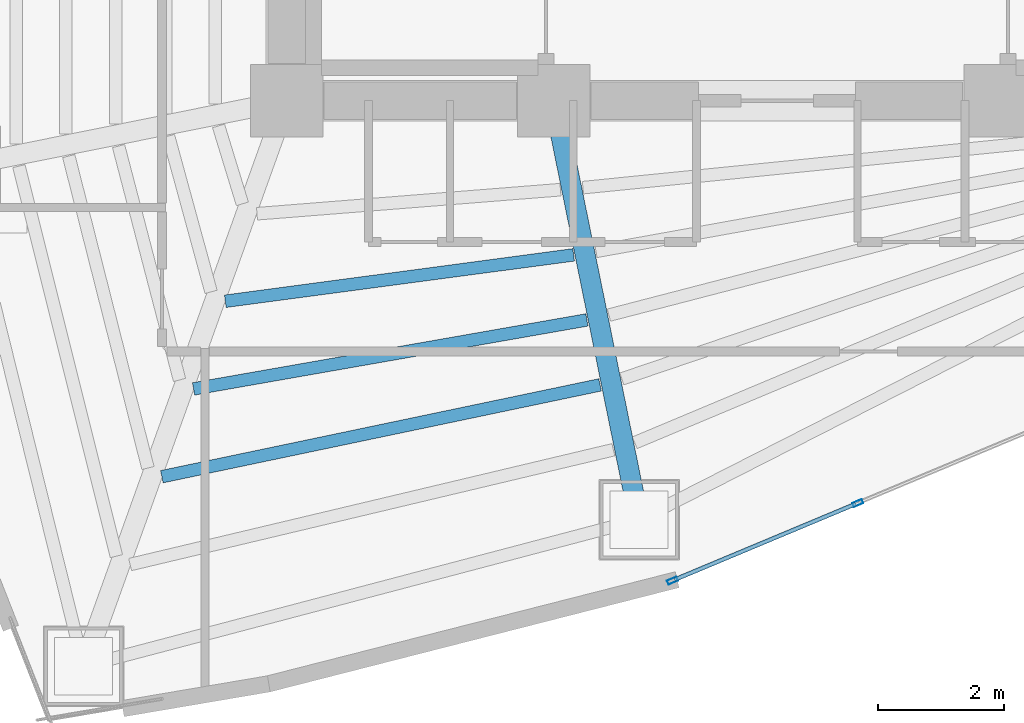
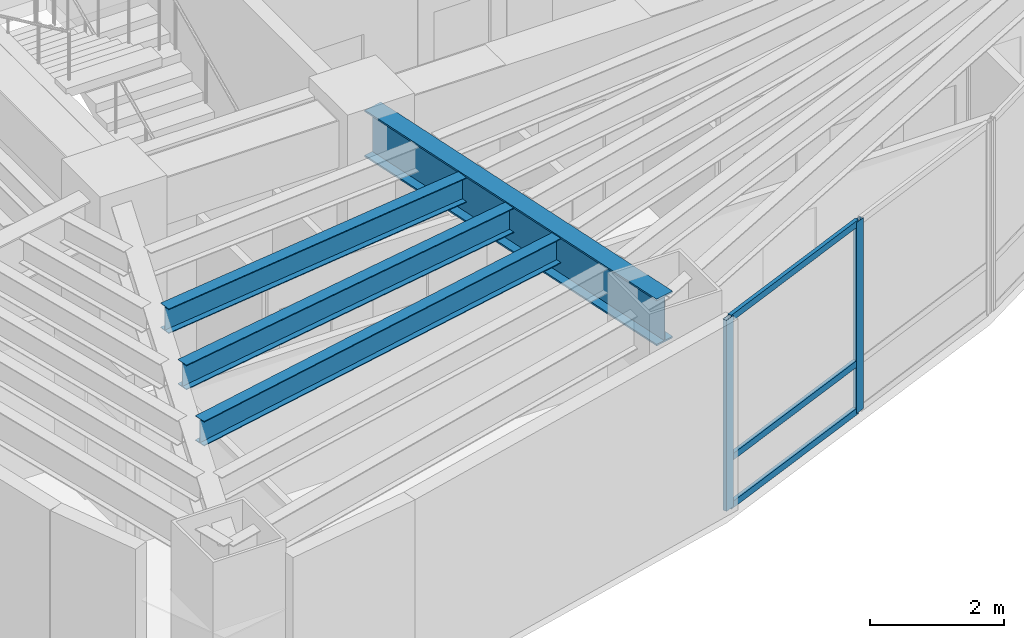
# One storey, part 2 of 16: 5 members, 4 beams, 1 element without a shape of its own.
"""IFC4 building model written with IfcOpenShell, lengths in metres."""

from ifc_helpers import new_model, si_unit, direction, frame, origin, origin_2d, place, context, subcontext, project, spatial, hollow_rectangle, i_section, extrude, material, layer, layer_set, material_profile, profile_set, type_object, element, aggregate, save


model = new_model("IFC4")

# Units and contexts
model_context = context("Model", 3, precision=1e-05, world=origin(), true_north=direction((0.0, 1.0)))
body_context = subcontext(model_context, "Body", "Model", "MODEL_VIEW")
ifc_project = project(units=[si_unit("LENGTHUNIT", "METRE"), si_unit("AREAUNIT", "SQUARE_METRE"), si_unit("VOLUMEUNIT", "CUBIC_METRE"), si_unit("PLANEANGLEUNIT", "RADIAN"), si_unit("MASSUNIT", "GRAM", prefix="KILO")], contexts=[model_context])

# Site, building, storey
site_placement = place(None, origin())
site = spatial("IfcSite", under=ifc_project, at=site_placement, CompositionType="ELEMENT")
building_placement = place(site_placement, origin())
building = spatial("IfcBuilding", under=site, at=building_placement, Name="Menara Vayukalpa", CompositionType="ELEMENT")
storey_placement = place(building_placement, frame((0.0, 0.0, 72.239990234375)))
storey = spatial("IfcBuildingStorey", under=building, at=storey_placement, Name="L17", CompositionType="ELEMENT", Elevation=72.239990234375)

# Beams
ifc_material_1 = material(Name="Steel S355", Category="steel")
ifc_material_profile_1 = material_profile(ifc_material_1, i_section(OverallWidth=0.320068359375, OverallDepth=0.85009765625, WebThickness=0.01611328125, FlangeThickness=0.030029296875, at=origin_2d()), Name="WF 850x320x16x30")
ifc_profile_set_1 = profile_set([ifc_material_profile_1], Name="Steel S355")
beam_type_1 = type_object("IfcBeamType", Name="BM-PG2", PredefinedType="BEAM", material=ifc_profile_set_1)
beam_1_placement = place(storey_placement, frame((22.099853515625, 16.955078125, 3.044921875), z_axis=(0.199617728418, -0.9798738503, 0.0), x_axis=(0.9798738503, 0.199617728418, 0.0)))
element("IfcBeam", 1, at=beam_1_placement, inside=storey, type_object=beam_type_1, Name="L17 Primary Radial Girder RG08", PredefinedType="BEAM", context=body_context, shape_type="SweptSolid", body=[
    extrude(i_section(OverallWidth=0.320068359375, OverallDepth=0.85009765625, WebThickness=0.01611328125, FlangeThickness=0.030029296875, at=origin_2d()), origin(), (0.0, 0.0, 1.0), 6.55419921875),
])
ifc_material_2 = material(Name="Steel S355", Category="steel")
ifc_material_profile_2 = material_profile(ifc_material_2, i_section(OverallWidth=0.199951171875, OverallDepth=0.449951171875, WebThickness=0.009033203125, FlangeThickness=0.013916015625, at=origin_2d()), Name="WF 450x200x9x14")
ifc_profile_set_2 = profile_set([ifc_material_profile_2], Name="Steel S355")
beam_type_2 = type_object("IfcBeamType", Name="BM-SJ1", PredefinedType="JOIST", material=ifc_profile_set_2)
beam_2_placement = place(storey_placement, frame((16.82421875, 14.009521484375, 3.2451171875), z_axis=(0.991248863782, 0.132006401551, 0.0), x_axis=(-0.132006401551, 0.991248863782, 0.0)))
element("IfcBeam", 2, at=beam_2_placement, inside=storey, type_object=beam_type_2, Name="L17 Secondary Floor Joist SJ07-2", PredefinedType="JOIST", context=body_context, shape_type="SweptSolid", body=[
    extrude(i_section(OverallWidth=0.199951171875, OverallDepth=0.449951171875, WebThickness=0.009033203125, FlangeThickness=0.013916015625, at=origin_2d()), origin(), (0.0, 0.0, 1.0), 5.5908203125),
])
beam_3_placement = place(storey_placement, frame((16.319580078125, 12.61474609375, 3.2451171875), z_axis=(0.984953696719, 0.172818446123, 0.0), x_axis=(-0.172818446123, 0.984953696719, 0.0)))
element("IfcBeam", 3, at=beam_3_placement, inside=storey, type_object=beam_type_2, Name="L17 Secondary Floor Joist SJ07-3", PredefinedType="JOIST", context=body_context, shape_type="SweptSolid", body=[
    extrude(i_section(OverallWidth=0.199951171875, OverallDepth=0.449951171875, WebThickness=0.009033203125, FlangeThickness=0.013916015625, at=origin_2d()), origin(), (0.0, 0.0, 1.0), 6.35302734375),
])
beam_4_placement = place(storey_placement, frame((15.815185546875, 11.218505859375, 3.2451171875), z_axis=(0.978749690575, 0.205058633565, 0.0), x_axis=(-0.205058633565, 0.978749690575, 0.0)))
element("IfcBeam", 4, at=beam_4_placement, inside=storey, type_object=beam_type_2, Name="L17 Secondary Floor Joist SJ07-4", PredefinedType="JOIST", context=body_context, shape_type="SweptSolid", body=[
    extrude(i_section(OverallWidth=0.199951171875, OverallDepth=0.449951171875, WebThickness=0.009033203125, FlangeThickness=0.013916015625, at=origin_2d()), origin(), (0.0, 0.0, 1.0), 7.123291015625),
])

# Curtain wall, members
ifc_material_3 = material(Name="Anodised Terracotta Aluminium Alloy 6063-T6", Category="masonry")
ifc_layer = layer(ifc_material_3, 0.1650390625)
ifc_layer_set = layer_set([ifc_layer], Name="Anodised Terracotta Aluminium Alloy 6063-T6")
curtain_wall_type = type_object("IfcCurtainWallType", Name="CW-CW2", PredefinedType="USERDEFINED", material=ifc_layer_set)
curtain_wall_placement = place(storey_placement, origin())
curtain_wall = element("IfcCurtainWall", 5, at=curtain_wall_placement, inside=storey, type_object=curtain_wall_type, Name="L17 Low Rise Terracotta Ribbon Curtain Wall CW2 16", ObjectType="UNITISED", PredefinedType="USERDEFINED")
ifc_material_4 = material(Name="Anodised Terracotta Aluminium Alloy 6063-T6", Category="masonry")
ifc_material_profile_3 = material_profile(ifc_material_4, hollow_rectangle(XDim=0.070068359375, YDim=0.1650390625, WallThickness=0.00390625, at=origin_2d()), Name="ALU 70x165x4")
ifc_profile_set_3 = profile_set([ifc_material_profile_3], Name="Anodised Terracotta Aluminium Alloy 6063-T6")
member_type_1 = type_object("IfcMemberType", Name="CWM-CW2", PredefinedType="MULLION", material=ifc_profile_set_3)
member_1_placement = place(storey_placement, frame((23.939697265625, 9.56591796875, 0.0), z_axis=(0.0, 0.0, 1.0), x_axis=(-0.38589358437, 0.922543300632, 0.0)))
member_1 = element("IfcMember", 6, at=member_1_placement, type_object=member_type_1, Name="CW2 mullion 1", PredefinedType="MULLION", context=body_context, shape_type="SweptSolid", body=[
    extrude(hollow_rectangle(XDim=0.070068359375, YDim=0.1650390625, WallThickness=0.00390625, at=origin_2d()), origin(), (0.0, 0.0, 1.0), 3.469970703125),
])
member_2_placement = place(storey_placement, frame((26.88671875, 10.798583984375, 0.0), z_axis=(0.0, 0.0, 1.0), x_axis=(-0.38589358437, 0.922543300632, 0.0)))
member_2 = element("IfcMember", 7, at=member_2_placement, type_object=member_type_1, Name="CW2 mullion 2", PredefinedType="MULLION", context=body_context, shape_type="SweptSolid", body=[
    extrude(hollow_rectangle(XDim=0.070068359375, YDim=0.1650390625, WallThickness=0.00390625, at=origin_2d()), origin(), (0.0, 0.0, 1.0), 3.469970703125),
])
ifc_material_5 = material(Name="Anodised Terracotta Aluminium Alloy 6063-T6", Category="masonry")
ifc_material_profile_4 = material_profile(ifc_material_5, hollow_rectangle(XDim=0.06494140625, YDim=0.1201171875, WallThickness=0.00341796875, at=origin_2d()), Name="ALU 65x120x3.5")
ifc_profile_set_4 = profile_set([ifc_material_profile_4], Name="Anodised Terracotta Aluminium Alloy 6063-T6")
member_type_2 = type_object("IfcMemberType", Name="CWT-CW2", PredefinedType="USERDEFINED", material=ifc_profile_set_4)
member_3_placement = place(storey_placement, frame((23.971923828125, 9.579345703125, 0.032470703125), z_axis=(0.922525759021, 0.385935517856, 0.0), x_axis=(-0.385935517856, 0.922525759021, 0.0)))
member_3 = element("IfcMember", 8, at=member_3_placement, type_object=member_type_2, Name="CW2 transom 1.1", ObjectType="TRANSOM", PredefinedType="USERDEFINED", context=body_context, shape_type="SweptSolid", body=[
    extrude(hollow_rectangle(XDim=0.06494140625, YDim=0.1201171875, WallThickness=0.00341796875, at=origin_2d()), origin(), (0.0, 0.0, 1.0), 3.124267578125),
])
member_4_placement = place(storey_placement, frame((23.971923828125, 9.579345703125, 0.89990234375), z_axis=(0.922525759021, 0.385935517856, 0.0), x_axis=(-0.385935517856, 0.922525759021, 0.0)))
member_4 = element("IfcMember", 9, at=member_4_placement, type_object=member_type_2, Name="CW2 transom 1.2", ObjectType="TRANSOM", PredefinedType="USERDEFINED", context=body_context, shape_type="SweptSolid", body=[
    extrude(hollow_rectangle(XDim=0.06494140625, YDim=0.1201171875, WallThickness=0.00341796875, at=origin_2d()), origin(), (0.0, 0.0, 1.0), 3.124267578125),
])
member_5_placement = place(storey_placement, frame((23.971923828125, 9.579345703125, 3.4375), z_axis=(0.922525759021, 0.385935517856, 0.0), x_axis=(-0.385935517856, 0.922525759021, 0.0)))
member_5 = element("IfcMember", 10, at=member_5_placement, type_object=member_type_2, Name="CW2 transom 1.3", ObjectType="TRANSOM", PredefinedType="USERDEFINED", context=body_context, shape_type="SweptSolid", body=[
    extrude(hollow_rectangle(XDim=0.06494140625, YDim=0.1201171875, WallThickness=0.00341796875, at=origin_2d()), origin(), (0.0, 0.0, 1.0), 3.124267578125),
])
aggregate(curtain_wall, [member_1, member_2, member_3, member_4, member_5])

save(model, "model.ifc")
